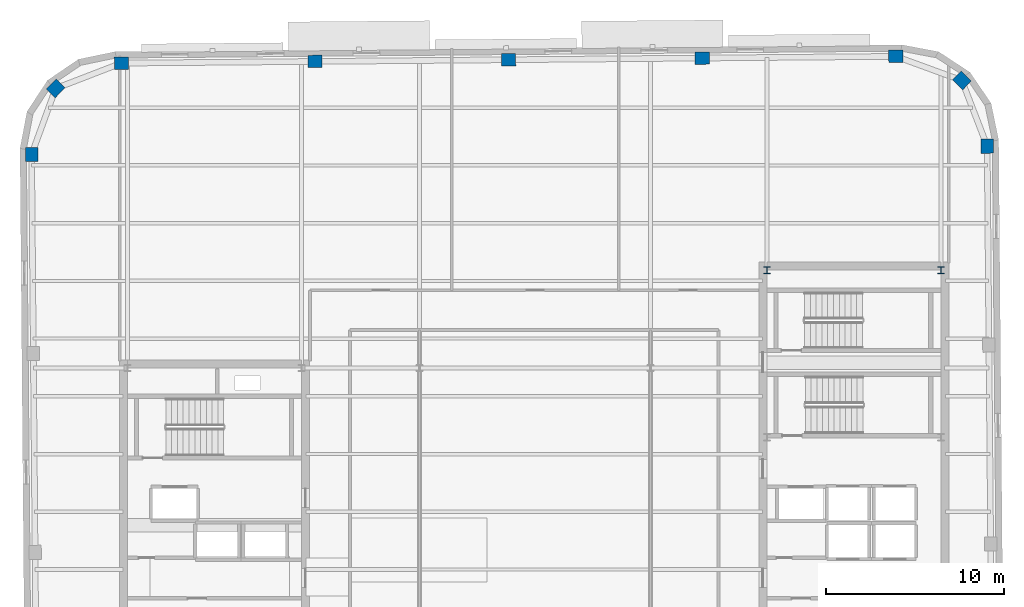
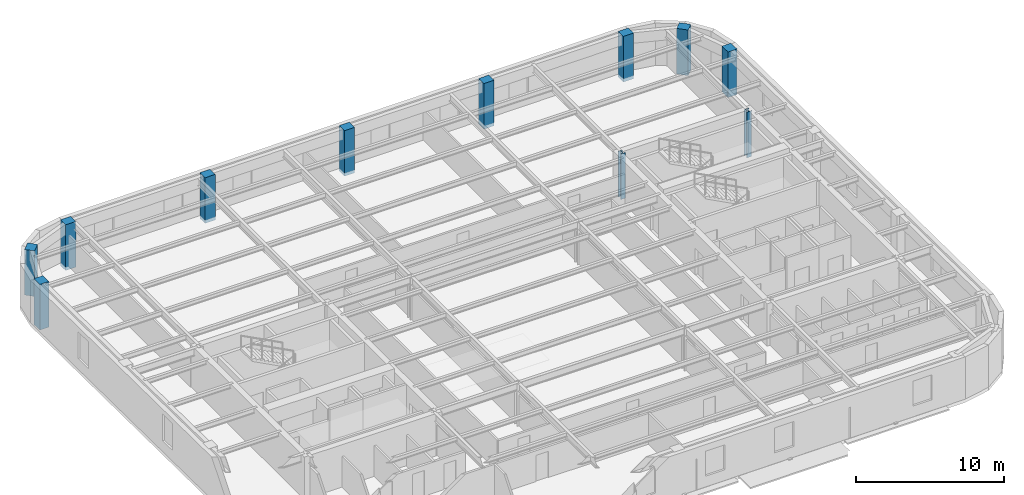
# One storey, part 3 of 13: 11 columns.
"""IFC4 building model written with IfcOpenShell, lengths in metres."""

from ifc_helpers import new_model, si_unit, direction, frame, origin, origin_2d, place, context, subcontext, project, spatial, rectangle, i_section, extrude, material, material_profile, profile_set, type_object, element, save


model = new_model("IFC4")

# Units and contexts
model_context = context("Model", 3, precision=1e-05, world=origin(), true_north=direction((0.0, 1.0)))
body_context = subcontext(model_context, "Body", "Model", "MODEL_VIEW")
ifc_project = project(units=[si_unit("LENGTHUNIT", "METRE"), si_unit("AREAUNIT", "SQUARE_METRE"), si_unit("VOLUMEUNIT", "CUBIC_METRE"), si_unit("PLANEANGLEUNIT", "RADIAN"), si_unit("MASSUNIT", "GRAM", prefix="KILO")], contexts=[model_context])

# Site, building, storey
site_placement = place(None, origin())
site = spatial("IfcSite", under=ifc_project, at=site_placement, CompositionType="ELEMENT")
building_placement = place(site_placement, origin())
building = spatial("IfcBuilding", under=site, at=building_placement, Name="Kolvaren Arena Tower", CompositionType="ELEMENT")
storey_placement = place(building_placement, frame((0.0, 0.0, 278.64990234375)))
storey = spatial("IfcBuildingStorey", under=building, at=storey_placement, Name="L68", CompositionType="ELEMENT", Elevation=278.64990234375)

# Columns
ifc_material_1 = material(Name="Precast concrete C50/60", Category="concrete")
ifc_material_profile_1 = material_profile(ifc_material_1, rectangle(XDim=0.800048828125, YDim=0.699951171875, at=origin_2d()), Name="RC-800x700")
ifc_profile_set_1 = profile_set([ifc_material_profile_1], Name="Precast concrete C50/60")
column_type_1 = type_object("IfcColumnType", Name="EXCOL-Z5", PredefinedType="COLUMN", material=ifc_profile_set_1)
for number, where, z_axis, x_axis, name in (
    (1, (62.952392578125, 46.333984375, -0.27001953125), (0.0, 0.0, 1.0), (-0.008726535498, 0.999961923064, 0.0), "Exoskeleton Perimeter Column 10 (L68)"),
    (2, (61.52880859375, 50.030517578125, -0.27001953125), (0.0, 0.0, 1.0), (-0.713250449154, 0.7009092643, 0.0), "Exoskeleton Perimeter Column 11 (L68)"),
    (3, (57.80810546875, 51.389404296875, -0.27001953125), (0.0, 0.0, 1.0), (0.999961923064, 0.008726535498, 0.0), "Exoskeleton Perimeter Column 12 (L68)"),
    (4, (46.908447265625, 51.294189453125, -0.27001953125), (0.0, 0.0, 1.0), (0.999961923064, 0.008726535498, 0.0), "Exoskeleton Perimeter Column 13 (L68)"),
    (5, (36.0087890625, 51.19921875, -0.27001953125), (0.0, 0.0, 1.0), (0.999961923064, 0.008726535498, 0.0), "Exoskeleton Perimeter Column 14 (L68)"),
    (6, (25.109375, 51.10400390625, -0.27001953125), (0.0, 0.0, 1.0), (0.999961923064, 0.008726535498, 0.0), "Exoskeleton Perimeter Column 15 (L68)"),
    (7, (14.209716796875, 51.0087890625, -0.27001953125), (0.0, 0.0, 1.0), (0.999961923064, 0.008726535498, 0.0), "Exoskeleton Perimeter Column 16 (L68)"),
    (8, (10.51318359375, 49.58544921875, -0.27001953125), (0.0, 0.0, 1.0), (0.7009092643, 0.713250449154, 0.0), "Exoskeleton Perimeter Column 17 (L68)"),
    (9, (9.154296875, 45.864501953125, -0.27001953125), (0.0, 0.0, 1.0), (-0.008726535498, 0.999961923064, 0.0), "Exoskeleton Perimeter Column 18 (L68)"),
):
    element("IfcColumn", number, at=place(storey_placement, frame(where, z_axis=z_axis, x_axis=x_axis)), inside=storey, type_object=column_type_1, Name=name, PredefinedType="COLUMN", context=body_context, shape_type="SweptSolid", body=[
        extrude(rectangle(XDim=0.800048828125, YDim=0.699951171875, at=origin_2d()), origin(), (0.0, 0.0, 1.0), 3.75),
    ])
ifc_material_2 = material(Name="Steel ASTM A913 Grade 65", Category="steel")
ifc_material_profile_2 = material_profile(ifc_material_2, i_section(OverallWidth=0.3740234375, OverallDepth=0.3720703125, WebThickness=0.016357421875, FlangeThickness=0.026123046875, FilletRadius=0.02001953125, at=origin_2d()), Name="W360x196")
ifc_profile_set_2 = profile_set([ifc_material_profile_2], Name="Steel ASTM A913 Grade 65")
column_type_2 = type_object("IfcColumnType", Name="SCOL-Z5", PredefinedType="COLUMN", material=ifc_profile_set_2)
for number, where, z_axis, x_axis, name in (
    (10, (50.550048828125, 39.35009765625, -0.27001953125), (0.0, 0.0, 1.0), (1.0, 0.0, 0.0), "Core Boundary Column EC-NW (L68)"),
    (11, (60.35009765625, 39.35009765625, -0.27001953125), (0.0, 0.0, 1.0), (1.0, 0.0, 0.0), "Core Boundary Column EC-NE (L68)"),
):
    element("IfcColumn", number, at=place(storey_placement, frame(where, z_axis=z_axis, x_axis=x_axis)), inside=storey, type_object=column_type_2, Name=name, PredefinedType="COLUMN", context=body_context, shape_type="SweptSolid", body=[
        extrude(i_section(OverallWidth=0.3740234375, OverallDepth=0.3720703125, WebThickness=0.016357421875, FlangeThickness=0.026123046875, FilletRadius=0.02001953125, at=origin_2d()), origin(), (0.0, 0.0, 1.0), 3.75),
    ])

save(model, "model.ifc")
